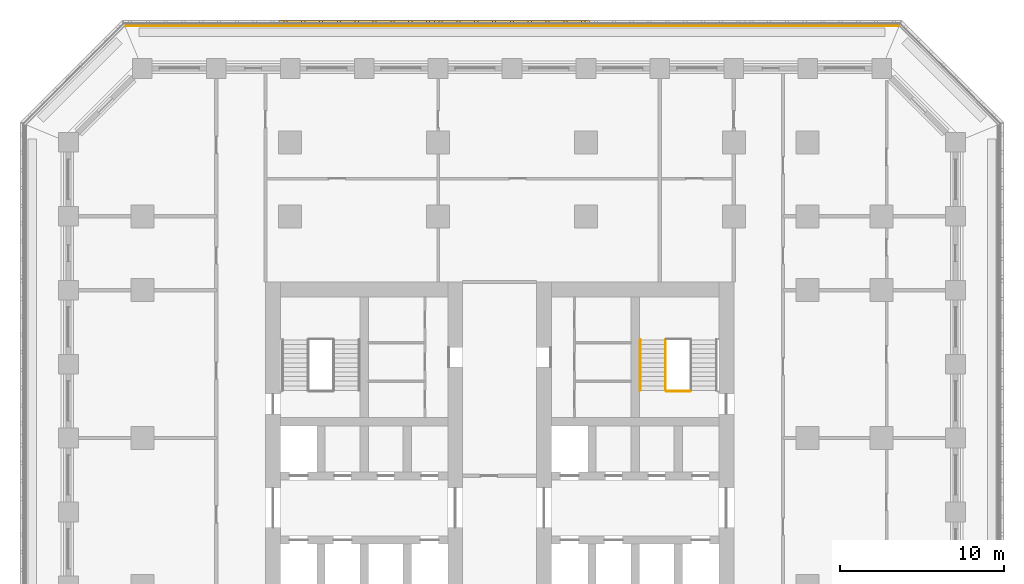
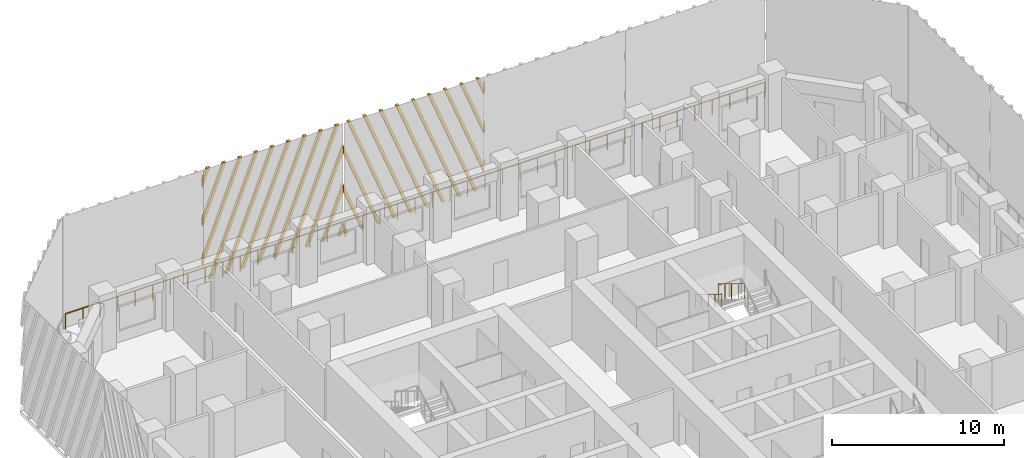
# One storey, part 16 of 19: 4 railings, 2 shading devices.
"""IFC4 building model written with IfcOpenShell, lengths in metres."""

from ifc_helpers import new_model, si_unit, direction, frame, origin, origin_2d, place, context, subcontext, project, spatial, polyline, circle, outline, extrude, source, transform, mapped, material, type_object, element, save


model = new_model("IFC4")

# Units and contexts
model_context = context("Model", 3, precision=1e-05, world=origin(), true_north=direction((0.0, 1.0)))
body_context = subcontext(model_context, "Body", "Model", "MODEL_VIEW")
ifc_project = project(units=[si_unit("LENGTHUNIT", "METRE"), si_unit("AREAUNIT", "SQUARE_METRE"), si_unit("VOLUMEUNIT", "CUBIC_METRE"), si_unit("PLANEANGLEUNIT", "RADIAN"), si_unit("MASSUNIT", "GRAM", prefix="KILO")], contexts=[model_context])

# Site, building, storey
site_placement = place(None, origin())
site = spatial("IfcSite", under=ifc_project, at=site_placement, CompositionType="ELEMENT")
building_placement = place(site_placement, origin())
building = spatial("IfcBuilding", under=site, at=building_placement, Name="Corbel Stack Research Tower", CompositionType="ELEMENT")
storey_placement = place(building_placement, frame((0.0, 0.0, 90.199951171875)))
storey = spatial("IfcBuildingStorey", under=building, at=storey_placement, Name="L20", CompositionType="ELEMENT", Elevation=90.199951171875)

# Railings
ifc_material_1 = material(Name="Steel S355", Category="steel")
railing_type_1 = type_object("IfcRailingType", Name="Stair guard 1100", PredefinedType="GUARDRAIL", material=ifc_material_1)
railing_1_placement = place(storey_placement, frame((13.85009765625, 14.97998046875, 2.220947265625)))
element("IfcRailing", 1, at=railing_1_placement, inside=storey, type_object=railing_type_1, Name="L20 ST-E2 stair guard 4", PredefinedType="GUARDRAIL", context=body_context, shape_type="SweptSolid", body=[
    extrude(circle(Radius=0.02392578125, at=origin_2d()), frame((0.0, 0.0, 1.076171875), z_axis=(0.0, -0.853666305674, 0.52082035152), x_axis=(1.0, 0.0, 0.0)), (0.0, 0.0, 1.0), 3.608154296875),
    extrude(circle(Radius=0.02099609375, at=origin_2d()), origin(), (0.0, 0.0, 1.0), 1.052001953125),
    extrude(circle(Radius=0.02099609375, at=origin_2d()), frame((0.0, -0.77001953125, 0.4697265625)), (0.0, 0.0, 1.0), 1.052001953125),
    extrude(circle(Radius=0.02099609375, at=origin_2d()), frame((0.0, -1.5400390625, 0.939453125)), (0.0, 0.0, 1.0), 1.052001953125),
    extrude(circle(Radius=0.02099609375, at=origin_2d()), frame((0.0, -2.31005859375, 1.409423828125)), (0.0, 0.0, 1.0), 1.052001953125),
    extrude(circle(Radius=0.02099609375, at=origin_2d()), frame((0.0, -3.080078125, 1.879150390625)), (0.0, 0.0, 1.0), 1.052001953125),
])
railing_2_placement = place(storey_placement, frame((15.35009765625, 11.85009765625, 0.0)))
element("IfcRailing", 2, at=railing_2_placement, inside=storey, type_object=railing_type_1, Name="L20 ST-E2 stair guard 5", PredefinedType="GUARDRAIL", context=body_context, shape_type="SweptSolid", body=[
    extrude(circle(Radius=0.02392578125, at=origin_2d()), frame((0.0, 0.0, 1.076171875), z_axis=(-1.0, 0.0, 0.0), x_axis=(0.0, -1.0, 0.0)), (0.0, 0.0, 1.0), 1.4501953125),
    extrude(circle(Radius=0.02099609375, at=origin_2d()), origin(), (0.0, 0.0, 1.0), 1.052001953125),
    extrude(circle(Radius=0.02099609375, at=origin_2d()), frame((-0.72509765625, 0.0, 0.0)), (0.0, 0.0, 1.0), 1.052001953125),
    extrude(circle(Radius=0.02099609375, at=origin_2d()), frame((-1.4501953125, 0.0, 0.0)), (0.0, 0.0, 1.0), 1.052001953125),
])
ifc_material_2 = material(Name="Steel S355", Category="steel")
railing_type_2 = type_object("IfcRailingType", Name="Stair handrail 900", PredefinedType="HANDRAIL", material=ifc_material_2)
railing_3_placement = place(storey_placement, frame((12.300048828125, 14.97998046875, 2.220947265625)))
element("IfcRailing", 3, at=railing_3_placement, inside=storey, type_object=railing_type_2, Name="L20 ST-E2 stair handrail 2", PredefinedType="HANDRAIL", context=body_context, shape_type="SweptSolid", body=[
    extrude(circle(Radius=0.02392578125, at=origin_2d()), frame((0.0, 0.0, 0.8759765625), z_axis=(0.0, -0.853666305674, 0.52082035152), x_axis=(1.0, 0.0, 0.0)), (0.0, 0.0, 1.0), 3.608154296875),
    extrude(circle(Radius=0.02099609375, at=origin_2d()), origin(), (0.0, 0.0, 1.0), 0.851806640625),
    extrude(circle(Radius=0.02099609375, at=origin_2d()), frame((0.0, -0.77001953125, 0.4697265625)), (0.0, 0.0, 1.0), 0.851806640625),
    extrude(circle(Radius=0.02099609375, at=origin_2d()), frame((0.0, -1.5400390625, 0.939453125)), (0.0, 0.0, 1.0), 0.851806640625),
    extrude(circle(Radius=0.02099609375, at=origin_2d()), frame((0.0, -2.31005859375, 1.409423828125)), (0.0, 0.0, 1.0), 0.851806640625),
    extrude(circle(Radius=0.02099609375, at=origin_2d()), frame((0.0, -3.080078125, 1.879150390625)), (0.0, 0.0, 1.0), 0.851806640625),
])
ifc_material_3 = material(Name="Powder-coated steel guard", Category="steel")
railing_type_3 = type_object("IfcRailingType", Name="Steel and glass guard 1100", PredefinedType="GUARDRAIL", material=ifc_material_3)
railing_4_placement = place(storey_placement, frame((28.00537109375, 34.10009765625, 0.0)))
element("IfcRailing", 4, at=railing_4_placement, inside=storey, type_object=railing_type_3, Name="Loggia guard L20 N", PredefinedType="GUARDRAIL", context=body_context, shape_type="SweptSolid", body=[
    extrude(circle(Radius=0.02392578125, at=origin_2d()), frame((0.0, 0.0, 1.076171875), z_axis=(-1.0, 0.0, 0.0), x_axis=(0.0, -1.0, 0.0)), (0.0, 0.0, 1.0), 47.0107421875),
    extrude(circle(Radius=0.02099609375, at=origin_2d()), origin(), (0.0, 0.0, 1.0), 1.052001953125),
    extrude(circle(Radius=0.02099609375, at=origin_2d()), frame((-1.17529296875, 0.0, 0.0)), (0.0, 0.0, 1.0), 1.052001953125),
    extrude(circle(Radius=0.02099609375, at=origin_2d()), frame((-2.3505859375, 0.0, 0.0)), (0.0, 0.0, 1.0), 1.052001953125),
    extrude(circle(Radius=0.02099609375, at=origin_2d()), frame((-3.52587890625, 0.0, 0.0)), (0.0, 0.0, 1.0), 1.052001953125),
    extrude(circle(Radius=0.02099609375, at=origin_2d()), frame((-4.701171875, 0.0, 0.0)), (0.0, 0.0, 1.0), 1.052001953125),
    extrude(circle(Radius=0.02099609375, at=origin_2d()), frame((-5.87646484375, 0.0, 0.0)), (0.0, 0.0, 1.0), 1.052001953125),
    extrude(circle(Radius=0.02099609375, at=origin_2d()), frame((-7.051513671875, 0.0, 0.0)), (0.0, 0.0, 1.0), 1.052001953125),
    extrude(circle(Radius=0.02099609375, at=origin_2d()), frame((-8.226806640625, 0.0, 0.0)), (0.0, 0.0, 1.0), 1.052001953125),
    extrude(circle(Radius=0.02099609375, at=origin_2d()), frame((-9.402099609375, 0.0, 0.0)), (0.0, 0.0, 1.0), 1.052001953125),
    extrude(circle(Radius=0.02099609375, at=origin_2d()), frame((-10.577392578125, 0.0, 0.0)), (0.0, 0.0, 1.0), 1.052001953125),
    extrude(circle(Radius=0.02099609375, at=origin_2d()), frame((-11.752685546875, 0.0, 0.0)), (0.0, 0.0, 1.0), 1.052001953125),
    extrude(circle(Radius=0.02099609375, at=origin_2d()), frame((-12.927978515625, 0.0, 0.0)), (0.0, 0.0, 1.0), 1.052001953125),
    extrude(circle(Radius=0.02099609375, at=origin_2d()), frame((-14.103271484375, 0.0, 0.0)), (0.0, 0.0, 1.0), 1.052001953125),
    extrude(circle(Radius=0.02099609375, at=origin_2d()), frame((-15.278564453125, 0.0, 0.0)), (0.0, 0.0, 1.0), 1.052001953125),
    extrude(circle(Radius=0.02099609375, at=origin_2d()), frame((-16.453857421875, 0.0, 0.0)), (0.0, 0.0, 1.0), 1.052001953125),
    extrude(circle(Radius=0.02099609375, at=origin_2d()), frame((-17.62890625, 0.0, 0.0)), (0.0, 0.0, 1.0), 1.052001953125),
    extrude(circle(Radius=0.02099609375, at=origin_2d()), frame((-18.80419921875, 0.0, 0.0)), (0.0, 0.0, 1.0), 1.052001953125),
    extrude(circle(Radius=0.02099609375, at=origin_2d()), frame((-19.9794921875, 0.0, 0.0)), (0.0, 0.0, 1.0), 1.052001953125),
    extrude(circle(Radius=0.02099609375, at=origin_2d()), frame((-21.15478515625, 0.0, 0.0)), (0.0, 0.0, 1.0), 1.052001953125),
    extrude(circle(Radius=0.02099609375, at=origin_2d()), frame((-22.330078125, 0.0, 0.0)), (0.0, 0.0, 1.0), 1.052001953125),
    extrude(circle(Radius=0.02099609375, at=origin_2d()), frame((-23.50537109375, 0.0, 0.0)), (0.0, 0.0, 1.0), 1.052001953125),
    extrude(circle(Radius=0.02099609375, at=origin_2d()), frame((-24.6806640625, 0.0, 0.0)), (0.0, 0.0, 1.0), 1.052001953125),
    extrude(circle(Radius=0.02099609375, at=origin_2d()), frame((-25.85595703125, 0.0, 0.0)), (0.0, 0.0, 1.0), 1.052001953125),
    extrude(circle(Radius=0.02099609375, at=origin_2d()), frame((-27.03125, 0.0, 0.0)), (0.0, 0.0, 1.0), 1.052001953125),
    extrude(circle(Radius=0.02099609375, at=origin_2d()), frame((-28.20654296875, 0.0, 0.0)), (0.0, 0.0, 1.0), 1.052001953125),
    extrude(circle(Radius=0.02099609375, at=origin_2d()), frame((-29.3818359375, 0.0, 0.0)), (0.0, 0.0, 1.0), 1.052001953125),
    extrude(circle(Radius=0.02099609375, at=origin_2d()), frame((-30.556884765625, 0.0, 0.0)), (0.0, 0.0, 1.0), 1.052001953125),
    extrude(circle(Radius=0.02099609375, at=origin_2d()), frame((-31.732177734375, 0.0, 0.0)), (0.0, 0.0, 1.0), 1.052001953125),
    extrude(circle(Radius=0.02099609375, at=origin_2d()), frame((-32.907470703125, 0.0, 0.0)), (0.0, 0.0, 1.0), 1.052001953125),
    extrude(circle(Radius=0.02099609375, at=origin_2d()), frame((-34.082763671875, 0.0, 0.0)), (0.0, 0.0, 1.0), 1.052001953125),
    extrude(circle(Radius=0.02099609375, at=origin_2d()), frame((-35.258056640625, 0.0, 0.0)), (0.0, 0.0, 1.0), 1.052001953125),
    extrude(circle(Radius=0.02099609375, at=origin_2d()), frame((-36.433349609375, 0.0, 0.0)), (0.0, 0.0, 1.0), 1.052001953125),
    extrude(circle(Radius=0.02099609375, at=origin_2d()), frame((-37.608642578125, 0.0, 0.0)), (0.0, 0.0, 1.0), 1.052001953125),
    extrude(circle(Radius=0.02099609375, at=origin_2d()), frame((-38.783935546875, 0.0, 0.0)), (0.0, 0.0, 1.0), 1.052001953125),
    extrude(circle(Radius=0.02099609375, at=origin_2d()), frame((-39.959228515625, 0.0, 0.0)), (0.0, 0.0, 1.0), 1.052001953125),
    extrude(circle(Radius=0.02099609375, at=origin_2d()), frame((-41.13427734375, 0.0, 0.0)), (0.0, 0.0, 1.0), 1.052001953125),
    extrude(circle(Radius=0.02099609375, at=origin_2d()), frame((-42.3095703125, 0.0, 0.0)), (0.0, 0.0, 1.0), 1.052001953125),
    extrude(circle(Radius=0.02099609375, at=origin_2d()), frame((-43.48486328125, 0.0, 0.0)), (0.0, 0.0, 1.0), 1.052001953125),
    extrude(circle(Radius=0.02099609375, at=origin_2d()), frame((-44.66015625, 0.0, 0.0)), (0.0, 0.0, 1.0), 1.052001953125),
    extrude(circle(Radius=0.02099609375, at=origin_2d()), frame((-45.83544921875, 0.0, 0.0)), (0.0, 0.0, 1.0), 1.052001953125),
    extrude(circle(Radius=0.02099609375, at=origin_2d()), frame((-47.0107421875, 0.0, 0.0)), (0.0, 0.0, 1.0), 1.052001953125),
])

# Shading devices
ifc_material_4 = material(Name="Precast terracotta", Category="masonry")
shading_device_type = type_object("IfcShadingDeviceType", Name="Terracotta screen panel", PredefinedType="USERDEFINED", material=ifc_material_4)
shared_shape_1 = source(origin(), body_context, "Body", "SweptSolid", [
    extrude(outline(polyline([(0.48828125, 7.949951171875), (0.298095703125, 7.949951171875), (0.0, 7.1865234375), (0.0, 6.699951171875), (0.48828125, 7.949951171875)])), frame((0.0, 0.0, 0.0), z_axis=(0.0, -1.0, 0.0), x_axis=(1.0, 0.0, 0.0)), (0.0, 0.0, 1.0), 0.179931640625),
    extrude(outline(polyline([(1.572998046875, 7.949951171875), (1.3828125, 7.949951171875), (0.0, 4.4091796875), (0.0, 3.922607421875), (1.572998046875, 7.949951171875)])), frame((0.0, 0.0, 0.0), z_axis=(0.0, -1.0, 0.0), x_axis=(1.0, 0.0, 0.0)), (0.0, 0.0, 1.0), 0.179931640625),
    extrude(outline(polyline([(2.657470703125, 7.949951171875), (2.467529296875, 7.949951171875), (0.0, 1.6318359375), (0.0, 1.1455078125), (2.657470703125, 7.949951171875)])), frame((0.0, 0.0, 0.0), z_axis=(0.0, -1.0, 0.0), x_axis=(1.0, 0.0, 0.0)), (0.0, 0.0, 1.0), 0.179931640625),
    extrude(outline(polyline([(0.63720703125, 0.0), (3.7421875, 7.949951171875), (3.55224609375, 7.949951171875), (0.447265625, 0.0), (0.63720703125, 0.0)])), frame((0.0, 0.0, 0.0), z_axis=(0.0, -1.0, 0.0), x_axis=(1.0, 0.0, 0.0)), (0.0, 0.0, 1.0), 0.179931640625),
    extrude(outline(polyline([(1.721923828125, 0.0), (4.826904296875, 7.949951171875), (4.636962890625, 7.949951171875), (1.531982421875, 0.0), (1.721923828125, 0.0)])), frame((0.0, 0.0, 0.0), z_axis=(0.0, -1.0, 0.0), x_axis=(1.0, 0.0, 0.0)), (0.0, 0.0, 1.0), 0.179931640625),
    extrude(outline(polyline([(2.806640625, 0.0), (5.91162109375, 7.949951171875), (5.721435546875, 7.949951171875), (2.61669921875, 0.0), (2.806640625, 0.0)])), frame((0.0, 0.0, 0.0), z_axis=(0.0, -1.0, 0.0), x_axis=(1.0, 0.0, 0.0)), (0.0, 0.0, 1.0), 0.179931640625),
    extrude(outline(polyline([(3.891357421875, 0.0), (6.99609375, 7.949951171875), (6.80615234375, 7.949951171875), (3.701416015625, 0.0), (3.891357421875, 0.0)])), frame((0.0, 0.0, 0.0), z_axis=(0.0, -1.0, 0.0), x_axis=(1.0, 0.0, 0.0)), (0.0, 0.0, 1.0), 0.179931640625),
    extrude(outline(polyline([(4.97607421875, 0.0), (8.080810546875, 7.949951171875), (7.890869140625, 7.949951171875), (4.785888671875, 0.0), (4.97607421875, 0.0)])), frame((0.0, 0.0, 0.0), z_axis=(0.0, -1.0, 0.0), x_axis=(1.0, 0.0, 0.0)), (0.0, 0.0, 1.0), 0.179931640625),
    extrude(outline(polyline([(6.060791015625, 0.0), (9.16552734375, 7.949951171875), (8.9755859375, 7.949951171875), (5.87060546875, 0.0), (6.060791015625, 0.0)])), frame((0.0, 0.0, 0.0), z_axis=(0.0, -1.0, 0.0), x_axis=(1.0, 0.0, 0.0)), (0.0, 0.0, 1.0), 0.179931640625),
    extrude(outline(polyline([(7.145263671875, 0.0), (9.45556640625, 5.91552734375), (9.45556640625, 6.402099609375), (6.955322265625, 0.0), (7.145263671875, 0.0)])), frame((0.0, 0.0, 0.0), z_axis=(0.0, -1.0, 0.0), x_axis=(1.0, 0.0, 0.0)), (0.0, 0.0, 1.0), 0.179931640625),
    extrude(outline(polyline([(8.22998046875, 0.0), (9.45556640625, 3.13818359375), (9.45556640625, 3.624755859375), (8.0400390625, 0.0), (8.22998046875, 0.0)])), frame((0.0, 0.0, 0.0), z_axis=(0.0, -1.0, 0.0), x_axis=(1.0, 0.0, 0.0)), (0.0, 0.0, 1.0), 0.179931640625),
    extrude(outline(polyline([(9.314697265625, 0.0), (9.45556640625, 0.361083984375), (9.45556640625, 0.847412109375), (9.124755859375, 0.0), (9.314697265625, 0.0)])), frame((0.0, 0.0, 0.0), z_axis=(0.0, -1.0, 0.0), x_axis=(1.0, 0.0, 0.0)), (0.0, 0.0, 1.0), 0.179931640625),
])
shading_device_1_placement = place(storey_placement, frame((9.227783203125, 34.25, 0.0), z_axis=(0.0, 0.0, 1.0), x_axis=(-1.0, 0.0, 0.0)))
element("IfcShadingDevice", 5, at=shading_device_1_placement, inside=storey, type_object=shading_device_type, Name="Terracotta screen L20 N3", ObjectType="SCREEN", PredefinedType="USERDEFINED", context=body_context, shape_type="MappedRepresentation", body=[
    mapped(shared_shape_1, transform((0.0, 0.0, 0.0))),
])
shared_shape_2 = source(origin(), body_context, "Body", "SweptSolid", [
    extrude(outline(polyline([(0.3310546875, 0.0), (0.0, 0.847412109375), (0.0, 0.361083984375), (0.14111328125, 0.0), (0.3310546875, 0.0)])), frame((0.0, 0.0, 0.0), z_axis=(0.0, -1.0, 0.0), x_axis=(1.0, 0.0, 0.0)), (0.0, 0.0, 1.0), 0.179931640625),
    extrude(outline(polyline([(1.41552734375, 0.0), (0.0, 3.624755859375), (0.0, 3.13818359375), (1.2255859375, 0.0), (1.41552734375, 0.0)])), frame((0.0, 0.0, 0.0), z_axis=(0.0, -1.0, 0.0), x_axis=(1.0, 0.0, 0.0)), (0.0, 0.0, 1.0), 0.179931640625),
    extrude(outline(polyline([(2.500244140625, 0.0), (0.0, 6.402099609375), (0.0, 5.91552734375), (2.310302734375, 0.0), (2.500244140625, 0.0)])), frame((0.0, 0.0, 0.0), z_axis=(0.0, -1.0, 0.0), x_axis=(1.0, 0.0, 0.0)), (0.0, 0.0, 1.0), 0.179931640625),
    extrude(outline(polyline([(3.5849609375, 0.0), (0.47998046875, 7.949951171875), (0.2900390625, 7.949951171875), (3.39501953125, 0.0), (3.5849609375, 0.0)])), frame((0.0, 0.0, 0.0), z_axis=(0.0, -1.0, 0.0), x_axis=(1.0, 0.0, 0.0)), (0.0, 0.0, 1.0), 0.179931640625),
    extrude(outline(polyline([(4.669677734375, 0.0), (1.564697265625, 7.949951171875), (1.374755859375, 7.949951171875), (4.4794921875, 0.0), (4.669677734375, 0.0)])), frame((0.0, 0.0, 0.0), z_axis=(0.0, -1.0, 0.0), x_axis=(1.0, 0.0, 0.0)), (0.0, 0.0, 1.0), 0.179931640625),
    extrude(outline(polyline([(5.75439453125, 0.0), (2.6494140625, 7.949951171875), (2.45947265625, 7.949951171875), (5.564208984375, 0.0), (5.75439453125, 0.0)])), frame((0.0, 0.0, 0.0), z_axis=(0.0, -1.0, 0.0), x_axis=(1.0, 0.0, 0.0)), (0.0, 0.0, 1.0), 0.179931640625),
    extrude(outline(polyline([(6.839111328125, 0.0), (3.734130859375, 7.949951171875), (3.544189453125, 7.949951171875), (6.64892578125, 0.0), (6.839111328125, 0.0)])), frame((0.0, 0.0, 0.0), z_axis=(0.0, -1.0, 0.0), x_axis=(1.0, 0.0, 0.0)), (0.0, 0.0, 1.0), 0.179931640625),
    extrude(outline(polyline([(7.923583984375, 0.0), (4.81884765625, 7.949951171875), (4.62890625, 7.949951171875), (7.733642578125, 0.0), (7.923583984375, 0.0)])), frame((0.0, 0.0, 0.0), z_axis=(0.0, -1.0, 0.0), x_axis=(1.0, 0.0, 0.0)), (0.0, 0.0, 1.0), 0.179931640625),
    extrude(outline(polyline([(9.00830078125, 0.0), (5.903564453125, 7.949951171875), (5.71337890625, 7.949951171875), (8.818359375, 0.0), (9.00830078125, 0.0)])), frame((0.0, 0.0, 0.0), z_axis=(0.0, -1.0, 0.0), x_axis=(1.0, 0.0, 0.0)), (0.0, 0.0, 1.0), 0.179931640625),
    extrude(outline(polyline([(6.988037109375, 7.949951171875), (6.798095703125, 7.949951171875), (9.45556640625, 1.1455078125), (9.45556640625, 1.6318359375), (6.988037109375, 7.949951171875)])), frame((0.0, 0.0, 0.0), z_axis=(0.0, -1.0, 0.0), x_axis=(1.0, 0.0, 0.0)), (0.0, 0.0, 1.0), 0.179931640625),
    extrude(outline(polyline([(8.07275390625, 7.949951171875), (7.8828125, 7.949951171875), (9.45556640625, 3.922607421875), (9.45556640625, 4.4091796875), (8.07275390625, 7.949951171875)])), frame((0.0, 0.0, 0.0), z_axis=(0.0, -1.0, 0.0), x_axis=(1.0, 0.0, 0.0)), (0.0, 0.0, 1.0), 0.179931640625),
    extrude(outline(polyline([(9.157470703125, 7.949951171875), (8.96728515625, 7.949951171875), (9.45556640625, 6.699951171875), (9.45556640625, 7.1865234375), (9.157470703125, 7.949951171875)])), frame((0.0, 0.0, 0.0), z_axis=(0.0, -1.0, 0.0), x_axis=(1.0, 0.0, 0.0)), (0.0, 0.0, 1.0), 0.179931640625),
])
shading_device_2_placement = place(storey_placement, frame((-0.227783203125, 34.25, 0.0), z_axis=(0.0, 0.0, 1.0), x_axis=(-1.0, 0.0, 0.0)))
element("IfcShadingDevice", 6, at=shading_device_2_placement, inside=storey, type_object=shading_device_type, Name="Terracotta screen L20 N4", ObjectType="SCREEN", PredefinedType="USERDEFINED", context=body_context, shape_type="MappedRepresentation", body=[
    mapped(shared_shape_2, transform((0.0, 0.0, 0.0))),
])

save(model, "model.ifc")
